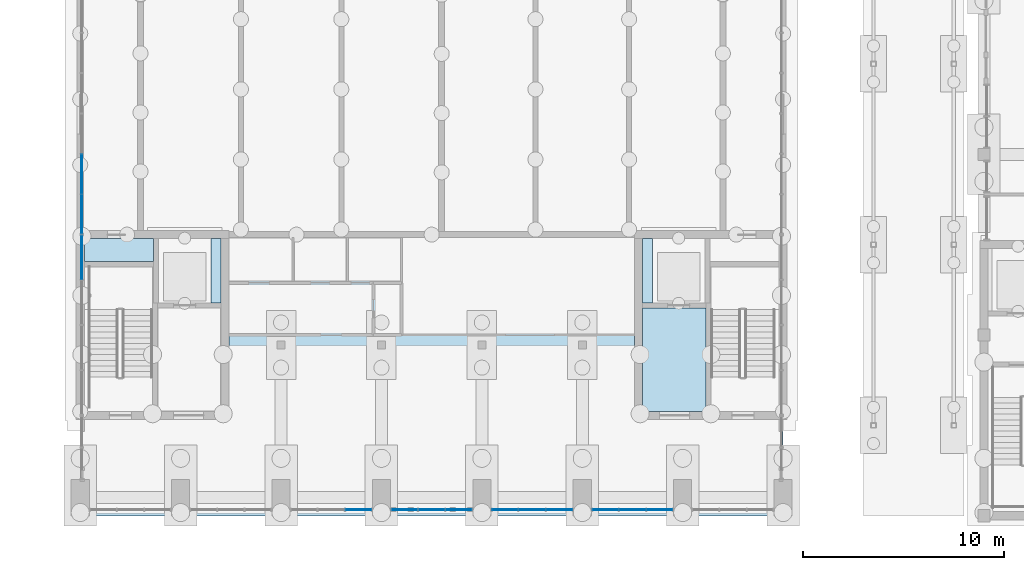
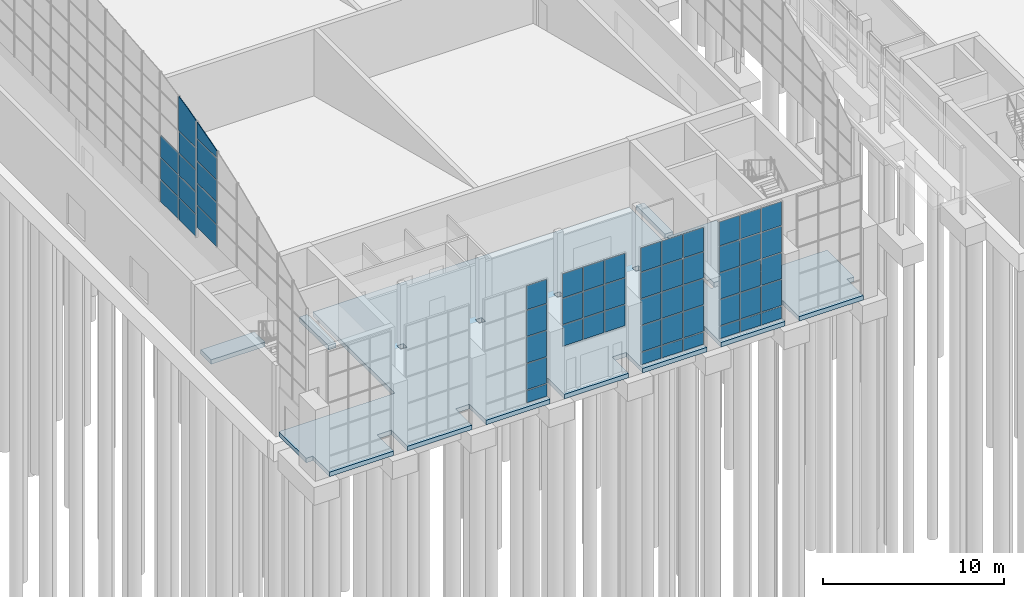
# One storey, part 51 of 106: 57 plates, 5 slabs, 6 elements without a shape of their own.
"""IFC4 building model written with IfcOpenShell, lengths in metres."""

from ifc_helpers import new_model, si_unit, direction, frame, origin, origin_2d, place, context, subcontext, project, spatial, polyline, rectangle, outline, extrude, material, layer, layer_set, type_object, element, aggregate, save


model = new_model("IFC4")

# Units and contexts
model_context = context("Model", 3, precision=1e-05, world=origin(), true_north=direction((0.0, 1.0)))
body_context = subcontext(model_context, "Body", "Model", "MODEL_VIEW")
ifc_project = project(units=[si_unit("LENGTHUNIT", "METRE"), si_unit("AREAUNIT", "SQUARE_METRE"), si_unit("VOLUMEUNIT", "CUBIC_METRE"), si_unit("PLANEANGLEUNIT", "RADIAN"), si_unit("MASSUNIT", "GRAM", prefix="KILO")], contexts=[model_context])

# Site, building, storey
site_placement = place(None, origin())
site = spatial("IfcSite", under=ifc_project, at=site_placement, CompositionType="ELEMENT")
building_placement = place(site_placement, origin())
building = spatial("IfcBuilding", under=site, at=building_placement, Name="Merrow Basin Faculty of Sciences", CompositionType="ELEMENT")
storey_placement = place(building_placement, origin())
storey = spatial("IfcBuildingStorey", under=building, at=storey_placement, Name="L00", CompositionType="ELEMENT", Elevation=0.0)

# Slabs
ifc_material_1 = material(Name="Concrete C40/50", Category="concrete")
ifc_layer_1 = layer(ifc_material_1, 0.300048828125)
ifc_layer_set_1 = layer_set([ifc_layer_1], Name="Ground slab 300 Concrete C40/50")
slab_type = type_object("IfcSlabType", Name="Ground slab 300 Concrete C40/50", PredefinedType="BASESLAB", material=ifc_layer_set_1)
slab_1_placement = place(storey_placement, frame((0.0, 0.0, -0.300048828125)))
element("IfcSlab", 1, at=slab_1_placement, inside=storey, type_object=slab_type, Name="SL3 ground L00 001", PredefinedType="BASESLAB", context=body_context, shape_type="SweptSolid", body=[
    extrude(outline(polyline([(34.550048828125, 1.800048828125), (34.550048828125, 0.0), (30.449951171875, 0.0), (30.449951171875, 1.800048828125), (29.550048828125, 1.800048828125), (29.550048828125, 0.0), (25.449951171875, 0.0), (25.449951171875, 1.800048828125), (24.550048828125, 1.800048828125), (24.550048828125, 0.0), (20.449951171875, 0.0), (20.449951171875, 1.800048828125), (19.550048828125, 1.800048828125), (19.550048828125, 0.0), (15.449951171875, 0.0), (15.449951171875, 1.800048828125), (14.550048828125, 1.800048828125), (14.550048828125, 0.0), (10.449951171875, 0.0), (10.449951171875, 1.800048828125), (9.550048828125, 1.800048828125), (9.550048828125, 0.0), (5.449951171875, 0.0), (5.449951171875, 1.800048828125), (4.550048828125, 1.800048828125), (4.550048828125, 0.0), (0.449951171875, 0.0), (0.449951171875, 1.800048828125), (0.0, 1.800048828125), (0.0, 4.800048828125), (7.39990234375, 4.800048828125), (7.39990234375, 5.199951171875), (7.39990234375, 13.800048828125), (7.39990234375, 13.85009765625), (27.60009765625, 13.85009765625), (27.60009765625, 13.800048828125), (27.60009765625, 5.199951171875), (27.60009765625, 4.800048828125), (35.0, 4.800048828125), (35.0, 1.800048828125), (34.550048828125, 1.800048828125)]), holes=[polyline([(25.199951171875, 8.699951171875), (24.800048828125, 8.699951171875), (24.800048828125, 8.300048828125), (25.199951171875, 8.300048828125), (25.199951171875, 8.699951171875)]), polyline([(19.800048828125, 8.699951171875), (19.800048828125, 8.300048828125), (20.199951171875, 8.300048828125), (20.199951171875, 8.699951171875), (19.800048828125, 8.699951171875)]), polyline([(15.199951171875, 8.699951171875), (14.800048828125, 8.699951171875), (14.800048828125, 8.300048828125), (15.199951171875, 8.300048828125), (15.199951171875, 8.699951171875)]), polyline([(9.800048828125, 8.699951171875), (9.800048828125, 8.300048828125), (10.199951171875, 8.300048828125), (10.199951171875, 8.699951171875), (9.800048828125, 8.699951171875)])]), origin(), (0.0, 0.0, 1.0), 0.300048828125),
])
slab_2_placement = place(storey_placement, frame((0.0, 0.0, -0.300048828125)))
element("IfcSlab", 2, at=slab_2_placement, inside=storey, type_object=slab_type, Name="SL3 ground L00 006", PredefinedType="BASESLAB", context=body_context, shape_type="SweptSolid", body=[
    extrude(outline(polyline([(28.0, 10.35009765625), (31.14990234375, 10.35009765625), (31.14990234375, 5.199951171875), (28.0, 5.199951171875), (28.0, 10.35009765625)])), origin(), (0.0, 0.0, 1.0), 0.300048828125),
])
slab_3_placement = place(storey_placement, frame((0.0, 0.0, -0.300048828125)))
element("IfcSlab", 3, at=slab_3_placement, inside=storey, type_object=slab_type, Name="SL3 ground L00 008", PredefinedType="BASESLAB", context=body_context, shape_type="SweptSolid", body=[
    extrude(outline(polyline([(3.64990234375, 13.800048828125), (3.64990234375, 12.64990234375), (0.199951171875, 12.64990234375), (0.199951171875, 13.800048828125), (3.64990234375, 13.800048828125)])), origin(), (0.0, 0.0, 1.0), 0.300048828125),
])
slab_4_placement = place(storey_placement, frame((0.0, 0.0, -0.300048828125)))
element("IfcSlab", 4, at=slab_4_placement, inside=storey, type_object=slab_type, Name="SL3 ground L00 017", PredefinedType="BASESLAB", context=body_context, shape_type="SweptSolid", body=[
    extrude(outline(polyline([(7.0, 13.800048828125), (7.0, 10.60009765625), (6.5, 10.60009765625), (6.5, 13.800048828125), (7.0, 13.800048828125)])), origin(), (0.0, 0.0, 1.0), 0.300048828125),
])
slab_5_placement = place(storey_placement, frame((0.0, 0.0, -0.300048828125)))
element("IfcSlab", 5, at=slab_5_placement, inside=storey, type_object=slab_type, Name="SL3 ground L00 018", PredefinedType="BASESLAB", context=body_context, shape_type="SweptSolid", body=[
    extrude(outline(polyline([(28.0, 10.60009765625), (28.0, 13.800048828125), (28.5, 13.800048828125), (28.5, 10.60009765625), (28.0, 10.60009765625)])), origin(), (0.0, 0.0, 1.0), 0.300048828125),
])

# Curtain wall, plate
ifc_material_2 = material(Name="Aluminium alloy 6063", Category="aluminium")
curtain_wall_type_1 = type_object("IfcCurtainWallType", Name="Unitised curtain wall 160", PredefinedType="NOTDEFINED", material=ifc_material_2)
curtain_wall_1_placement = place(storey_placement, origin())
curtain_wall_1 = element("IfcCurtainWall", 6, at=curtain_wall_1_placement, inside=storey, type_object=curtain_wall_type_1, Name="South foyer curtain wall", PredefinedType="NOTDEFINED")
ifc_material_3 = material(Name="Insulated aluminium spandrel panel", Category="aluminium")
ifc_layer_2 = layer(ifc_material_3, 0.052001953125)
ifc_layer_set_2 = layer_set([ifc_layer_2], Name="Insulated spandrel panel 52")
plate_type_1 = type_object("IfcPlateType", Name="Insulated spandrel panel 52", PredefinedType="CURTAIN_PANEL", material=ifc_layer_set_2)
plate_1_placement = place(storey_placement, frame((13.8515625, 0.300048828125, 0.06005859375), z_axis=(0.0, 0.0, 1.0), x_axis=(1.0, 0.0, 0.0)))
plate_1 = element("IfcPlate", 7, at=plate_1_placement, type_object=plate_type_1, Name="CW3 panel 3.1", PredefinedType="CURTAIN_PANEL", context=body_context, shape_type="SweptSolid", body=[
    extrude(rectangle(XDim=1.276611328125, YDim=0.052001953125, at=origin_2d()), origin(), (0.0, 0.0, 1.0), 0.81005859375),
])

# Curtain wall, plates
curtain_wall_2_placement = place(storey_placement, origin())
curtain_wall_2 = element("IfcCurtainWall", 8, at=curtain_wall_2_placement, inside=storey, type_object=curtain_wall_type_1, Name="South foyer curtain wall", PredefinedType="NOTDEFINED")
plate_2_placement = place(storey_placement, frame((21.1484375, 0.300048828125, 0.06005859375), z_axis=(0.0, 0.0, 1.0), x_axis=(1.0, 0.0, 0.0)))
plate_2 = element("IfcPlate", 9, at=plate_2_placement, type_object=plate_type_1, Name="CW3 panel 1.1", PredefinedType="CURTAIN_PANEL", context=body_context, shape_type="SweptSolid", body=[
    extrude(rectangle(XDim=1.276611328125, YDim=0.052001953125, at=origin_2d()), origin(), (0.0, 0.0, 1.0), 0.81005859375),
])
plate_3_placement = place(storey_placement, frame((22.5, 0.300048828125, 0.06005859375), z_axis=(0.0, 0.0, 1.0), x_axis=(1.0, 0.0, 0.0)))
plate_3 = element("IfcPlate", 10, at=plate_3_placement, type_object=plate_type_1, Name="CW3 panel 2.1", PredefinedType="CURTAIN_PANEL", context=body_context, shape_type="SweptSolid", body=[
    extrude(rectangle(XDim=1.306640625, YDim=0.052001953125, at=origin_2d()), origin(), (0.0, 0.0, 1.0), 0.81005859375),
])
plate_4_placement = place(storey_placement, frame((23.8515625, 0.300048828125, 0.06005859375), z_axis=(0.0, 0.0, 1.0), x_axis=(1.0, 0.0, 0.0)))
plate_4 = element("IfcPlate", 11, at=plate_4_placement, type_object=plate_type_1, Name="CW3 panel 3.1", PredefinedType="CURTAIN_PANEL", context=body_context, shape_type="SweptSolid", body=[
    extrude(rectangle(XDim=1.276611328125, YDim=0.052001953125, at=origin_2d()), origin(), (0.0, 0.0, 1.0), 0.81005859375),
])

curtain_wall_3_placement = place(storey_placement, origin())
curtain_wall_3 = element("IfcCurtainWall", 12, at=curtain_wall_3_placement, inside=storey, type_object=curtain_wall_type_1, Name="South foyer curtain wall", PredefinedType="NOTDEFINED")
plate_5_placement = place(storey_placement, frame((26.1484375, 0.300048828125, 0.06005859375), z_axis=(0.0, 0.0, 1.0), x_axis=(1.0, 0.0, 0.0)))
plate_5 = element("IfcPlate", 13, at=plate_5_placement, type_object=plate_type_1, Name="CW3 panel 1.1", PredefinedType="CURTAIN_PANEL", context=body_context, shape_type="SweptSolid", body=[
    extrude(rectangle(XDim=1.276611328125, YDim=0.052001953125, at=origin_2d()), origin(), (0.0, 0.0, 1.0), 0.81005859375),
])
plate_6_placement = place(storey_placement, frame((27.5, 0.300048828125, 0.06005859375), z_axis=(0.0, 0.0, 1.0), x_axis=(1.0, 0.0, 0.0)))
plate_6 = element("IfcPlate", 14, at=plate_6_placement, type_object=plate_type_1, Name="CW3 panel 2.1", PredefinedType="CURTAIN_PANEL", context=body_context, shape_type="SweptSolid", body=[
    extrude(rectangle(XDim=1.306640625, YDim=0.052001953125, at=origin_2d()), origin(), (0.0, 0.0, 1.0), 0.81005859375),
])
plate_7_placement = place(storey_placement, frame((28.8515625, 0.300048828125, 0.06005859375), z_axis=(0.0, 0.0, 1.0), x_axis=(1.0, 0.0, 0.0)))
plate_7 = element("IfcPlate", 15, at=plate_7_placement, type_object=plate_type_1, Name="CW3 panel 3.1", PredefinedType="CURTAIN_PANEL", context=body_context, shape_type="SweptSolid", body=[
    extrude(rectangle(XDim=1.276611328125, YDim=0.052001953125, at=origin_2d()), origin(), (0.0, 0.0, 1.0), 0.81005859375),
])

ifc_material_4 = material(Name="Aluminium alloy 6063", Category="aluminium")
curtain_wall_type_2 = type_object("IfcCurtainWallType", Name="Arched curtain wall 160", PredefinedType="NOTDEFINED", material=ifc_material_4)
curtain_wall_4_placement = place(storey_placement, origin())
curtain_wall_4 = element("IfcCurtainWall", 16, at=curtain_wall_4_placement, inside=storey, type_object=curtain_wall_type_2, Name="West gable glazing B", PredefinedType="NOTDEFINED")
ifc_material_5 = material(Name="Laminated safety glass", Category="glass")
ifc_layer_3 = layer(ifc_material_5, 0.0400390625)
ifc_layer_set_3 = layer_set([ifc_layer_3], Name="Laminated overhead glazing panel 40")
plate_type_2 = type_object("IfcPlateType", Name="Laminated overhead glazing panel 40", PredefinedType="CURTAIN_PANEL", material=ifc_layer_set_3)
plate_8_placement = place(storey_placement, frame((0.06005859375, 11.780029296875, 8.199951171875), z_axis=(1.0, 0.0, 0.0), x_axis=(0.0, 1.0, 0.0)))
plate_8 = element("IfcPlate", 17, at=plate_8_placement, type_object=plate_type_2, Name="CW4 panel 4.1", PredefinedType="CURTAIN_PANEL", context=body_context, shape_type="SweptSolid", body=[
    extrude(outline(polyline([(0.0, 0.0), (2.159912109375, 0.0), (2.159912109375, 1.469970703125), (0.0, 1.469970703125), (0.0, 0.0)])), origin(), (0.0, 0.0, 1.0), 0.0400390625),
])
plate_9_placement = place(storey_placement, frame((0.06005859375, 11.780029296875, 9.72998046875), z_axis=(1.0, 0.0, 0.0), x_axis=(0.0, 1.0, 0.0)))
plate_9 = element("IfcPlate", 18, at=plate_9_placement, type_object=plate_type_2, Name="CW4 panel 4.2", PredefinedType="CURTAIN_PANEL", context=body_context, shape_type="SweptSolid", body=[
    extrude(outline(polyline([(0.0, 0.0), (2.159912109375, 0.0), (2.159912109375, 1.43994140625), (0.0, 1.43994140625), (0.0, 0.0)])), origin(), (0.0, 0.0, 1.0), 0.0400390625),
])
plate_10_placement = place(storey_placement, frame((0.06005859375, 11.780029296875, 11.22998046875), z_axis=(1.0, 0.0, 0.0), x_axis=(0.0, 1.0, 0.0)))
plate_10 = element("IfcPlate", 19, at=plate_10_placement, type_object=plate_type_2, Name="CW4 panel 4.3", PredefinedType="CURTAIN_PANEL", context=body_context, shape_type="SweptSolid", body=[
    extrude(outline(polyline([(0.0, 0.0), (2.159912109375, 0.0), (2.159912109375, 1.43994140625), (0.0, 1.43994140625), (0.0, 0.0)])), origin(), (0.0, 0.0, 1.0), 0.0400390625),
])
plate_11_placement = place(storey_placement, frame((0.06005859375, 11.780029296875, 12.72998046875), z_axis=(1.0, 0.0, 0.0), x_axis=(0.0, 1.0, 0.0)))
plate_11 = element("IfcPlate", 20, at=plate_11_placement, type_object=plate_type_2, Name="CW4 panel 4.4", PredefinedType="CURTAIN_PANEL", context=body_context, shape_type="SweptSolid", body=[
    extrude(outline(polyline([(0.0, 0.0), (2.159912109375, 0.0), (2.159912109375, 1.43994140625), (0.0, 1.43994140625), (0.0, 0.0)])), origin(), (0.0, 0.0, 1.0), 0.0400390625),
])
plate_12_placement = place(storey_placement, frame((0.06005859375, 11.780029296875, 14.22998046875), z_axis=(1.0, 0.0, 0.0), x_axis=(0.0, 1.0, 0.0)))
plate_12 = element("IfcPlate", 21, at=plate_12_placement, type_object=plate_type_2, Name="CW4 panel 4.top", PredefinedType="CURTAIN_PANEL", context=body_context, shape_type="SweptSolid", body=[
    extrude(outline(polyline([(0.0, 0.0), (2.159912109375, 0.0), (2.159912109375, 1.091064453125), (0.264892578125, 0.56103515625), (0.0, 0.466064453125), (0.0, 0.0)])), origin(), (0.0, 0.0, 1.0), 0.0400390625),
])
aggregate(curtain_wall_4, [plate_8, plate_9, plate_10, plate_11, plate_12])

curtain_wall_5_placement = place(storey_placement, origin())
curtain_wall_5 = element("IfcCurtainWall", 22, at=curtain_wall_5_placement, inside=storey, type_object=curtain_wall_type_2, Name="West gable glazing C", PredefinedType="NOTDEFINED")
plate_13_placement = place(storey_placement, frame((0.06005859375, 14.06005859375, 7.5), z_axis=(1.0, 0.0, 0.0), x_axis=(0.0, 1.0, 0.0)))
plate_13 = element("IfcPlate", 23, at=plate_13_placement, type_object=plate_type_2, Name="CW4 panel 1.1", PredefinedType="CURTAIN_PANEL", context=body_context, shape_type="SweptSolid", body=[
    extrude(outline(polyline([(0.0, 0.0), (1.919921875, 0.0), (1.919921875, 1.469970703125), (0.0, 1.469970703125), (0.0, 0.0)])), origin(), (0.0, 0.0, 1.0), 0.0400390625),
])
plate_14_placement = place(storey_placement, frame((0.06005859375, 14.06005859375, 9.030029296875), z_axis=(1.0, 0.0, 0.0), x_axis=(0.0, 1.0, 0.0)))
plate_14 = element("IfcPlate", 24, at=plate_14_placement, type_object=plate_type_2, Name="CW4 panel 1.2", PredefinedType="CURTAIN_PANEL", context=body_context, shape_type="SweptSolid", body=[
    extrude(outline(polyline([(0.0, 0.0), (1.919921875, 0.0), (1.919921875, 1.43994140625), (0.0, 1.43994140625), (0.0, 0.0)])), origin(), (0.0, 0.0, 1.0), 0.0400390625),
])
plate_15_placement = place(storey_placement, frame((0.06005859375, 14.06005859375, 10.530029296875), z_axis=(1.0, 0.0, 0.0), x_axis=(0.0, 1.0, 0.0)))
plate_15 = element("IfcPlate", 25, at=plate_15_placement, type_object=plate_type_2, Name="CW4 panel 1.3", PredefinedType="CURTAIN_PANEL", context=body_context, shape_type="SweptSolid", body=[
    extrude(outline(polyline([(0.0, 0.0), (1.919921875, 0.0), (1.919921875, 1.43994140625), (0.0, 1.43994140625), (0.0, 0.0)])), origin(), (0.0, 0.0, 1.0), 0.0400390625),
])
plate_16_placement = place(storey_placement, frame((0.06005859375, 14.06005859375, 12.030029296875), z_axis=(1.0, 0.0, 0.0), x_axis=(0.0, 1.0, 0.0)))
plate_16 = element("IfcPlate", 26, at=plate_16_placement, type_object=plate_type_2, Name="CW4 panel 1.4", PredefinedType="CURTAIN_PANEL", context=body_context, shape_type="SweptSolid", body=[
    extrude(outline(polyline([(0.0, 0.0), (1.919921875, 0.0), (1.919921875, 1.43994140625), (0.0, 1.43994140625), (0.0, 0.0)])), origin(), (0.0, 0.0, 1.0), 0.0400390625),
])
plate_17_placement = place(storey_placement, frame((0.06005859375, 14.06005859375, 13.530029296875), z_axis=(1.0, 0.0, 0.0), x_axis=(0.0, 1.0, 0.0)))
plate_17 = element("IfcPlate", 27, at=plate_17_placement, type_object=plate_type_2, Name="CW4 panel 1.top", PredefinedType="CURTAIN_PANEL", context=body_context, shape_type="SweptSolid", body=[
    extrude(outline(polyline([(0.0, 0.0), (1.9208984375, 0.0), (1.9208984375, 2.294921875), (0.97607421875, 2.097900390625), (0.0, 1.823974609375), (0.0, 0.0)])), origin(), (0.0, 0.0, 1.0), 0.0400390625),
])
plate_18_placement = place(storey_placement, frame((0.06005859375, 16.041015625, 7.5), z_axis=(1.0, 0.0, 0.0), x_axis=(0.0, 1.0, 0.0)))
plate_18 = element("IfcPlate", 28, at=plate_18_placement, type_object=plate_type_2, Name="CW4 panel 2.1", PredefinedType="CURTAIN_PANEL", context=body_context, shape_type="SweptSolid", body=[
    extrude(outline(polyline([(0.0, 0.0), (1.949951171875, 0.0), (1.949951171875, 1.469970703125), (0.0, 1.469970703125), (0.0, 0.0)])), origin(), (0.0, 0.0, 1.0), 0.0400390625),
])
plate_19_placement = place(storey_placement, frame((0.06005859375, 16.041015625, 9.030029296875), z_axis=(1.0, 0.0, 0.0), x_axis=(0.0, 1.0, 0.0)))
plate_19 = element("IfcPlate", 29, at=plate_19_placement, type_object=plate_type_2, Name="CW4 panel 2.2", PredefinedType="CURTAIN_PANEL", context=body_context, shape_type="SweptSolid", body=[
    extrude(outline(polyline([(0.0, 0.0), (1.949951171875, 0.0), (1.949951171875, 1.43994140625), (0.0, 1.43994140625), (0.0, 0.0)])), origin(), (0.0, 0.0, 1.0), 0.0400390625),
])
plate_20_placement = place(storey_placement, frame((0.06005859375, 16.041015625, 10.530029296875), z_axis=(1.0, 0.0, 0.0), x_axis=(0.0, 1.0, 0.0)))
plate_20 = element("IfcPlate", 30, at=plate_20_placement, type_object=plate_type_2, Name="CW4 panel 2.3", PredefinedType="CURTAIN_PANEL", context=body_context, shape_type="SweptSolid", body=[
    extrude(outline(polyline([(0.0, 0.0), (1.949951171875, 0.0), (1.949951171875, 1.43994140625), (0.0, 1.43994140625), (0.0, 0.0)])), origin(), (0.0, 0.0, 1.0), 0.0400390625),
])
aggregate(curtain_wall_5, [plate_13, plate_14, plate_15, plate_16, plate_17, plate_18, plate_19, plate_20])

# Plate
ifc_material_6 = material(Name="Low-E double glazing", Category="glass")
ifc_layer_4 = layer(ifc_material_6, 0.028076171875)
ifc_layer_set_4 = layer_set([ifc_layer_4], Name="Low-E double glazed panel 28")
plate_type_3 = type_object("IfcPlateType", Name="Low-E double glazed panel 28", PredefinedType="CURTAIN_PANEL", material=ifc_layer_set_4)
plate_21_placement = place(storey_placement, frame((13.8515625, 0.300048828125, 0.93017578125), z_axis=(0.0, 0.0, 1.0), x_axis=(1.0, 0.0, 0.0)))
plate_21 = element("IfcPlate", 31, at=plate_21_placement, type_object=plate_type_3, Name="CW3 panel 3.2", PredefinedType="CURTAIN_PANEL", context=body_context, shape_type="SweptSolid", body=[
    extrude(rectangle(XDim=1.276611328125, YDim=0.028076171875, at=origin_2d()), origin(), (0.0, 0.0, 1.0), 1.739990234375),
])

plate_22_placement = place(storey_placement, frame((13.8515625, 0.300048828125, 2.72998046875), z_axis=(0.0, 0.0, 1.0), x_axis=(1.0, 0.0, 0.0)))
plate_22 = element("IfcPlate", 32, at=plate_22_placement, type_object=plate_type_3, Name="CW3 panel 3.3", PredefinedType="CURTAIN_PANEL", context=body_context, shape_type="SweptSolid", body=[
    extrude(rectangle(XDim=1.276611328125, YDim=0.028076171875, at=origin_2d()), origin(), (0.0, 0.0, 1.0), 1.739990234375),
])

plate_23_placement = place(storey_placement, frame((13.8515625, 0.300048828125, 4.52978515625), z_axis=(0.0, 0.0, 1.0), x_axis=(1.0, 0.0, 0.0)))
plate_23 = element("IfcPlate", 33, at=plate_23_placement, type_object=plate_type_3, Name="CW3 panel 3.4", PredefinedType="CURTAIN_PANEL", context=body_context, shape_type="SweptSolid", body=[
    extrude(rectangle(XDim=1.276611328125, YDim=0.028076171875, at=origin_2d()), origin(), (0.0, 0.0, 1.0), 1.739990234375),
])

plate_24_placement = place(storey_placement, frame((13.8515625, 0.300048828125, 6.330078125), z_axis=(0.0, 0.0, 1.0), x_axis=(1.0, 0.0, 0.0)))
plate_24 = element("IfcPlate", 34, at=plate_24_placement, type_object=plate_type_3, Name="CW3 panel 3.5", PredefinedType="CURTAIN_PANEL", context=body_context, shape_type="SweptSolid", body=[
    extrude(rectangle(XDim=1.276611328125, YDim=0.028076171875, at=origin_2d()), origin(), (0.0, 0.0, 1.0), 1.610107421875),
])

aggregate(curtain_wall_1, [plate_1, plate_21, plate_22, plate_23, plate_24])

# Curtain wall, plates
curtain_wall_6_placement = place(storey_placement, origin())
curtain_wall_6 = element("IfcCurtainWall", 35, at=curtain_wall_6_placement, inside=storey, type_object=curtain_wall_type_1, Name="South foyer curtain wall above the door", PredefinedType="NOTDEFINED")
plate_25_placement = place(storey_placement, frame((16.1484375, 0.300048828125, 3.06005859375), z_axis=(0.0, 0.0, 1.0), x_axis=(1.0, 0.0, 0.0)))
plate_25 = element("IfcPlate", 36, at=plate_25_placement, type_object=plate_type_3, Name="CW3 panel 1.1", PredefinedType="CURTAIN_PANEL", context=body_context, shape_type="SweptSolid", body=[
    extrude(rectangle(XDim=1.276611328125, YDim=0.028076171875, at=origin_2d()), origin(), (0.0, 0.0, 1.0), 1.409912109375),
])
plate_26_placement = place(storey_placement, frame((16.1484375, 0.300048828125, 4.52978515625), z_axis=(0.0, 0.0, 1.0), x_axis=(1.0, 0.0, 0.0)))
plate_26 = element("IfcPlate", 37, at=plate_26_placement, type_object=plate_type_3, Name="CW3 panel 1.2", PredefinedType="CURTAIN_PANEL", context=body_context, shape_type="SweptSolid", body=[
    extrude(rectangle(XDim=1.276611328125, YDim=0.028076171875, at=origin_2d()), origin(), (0.0, 0.0, 1.0), 1.739990234375),
])
plate_27_placement = place(storey_placement, frame((16.1484375, 0.300048828125, 6.330078125), z_axis=(0.0, 0.0, 1.0), x_axis=(1.0, 0.0, 0.0)))
plate_27 = element("IfcPlate", 38, at=plate_27_placement, type_object=plate_type_3, Name="CW3 panel 1.3", PredefinedType="CURTAIN_PANEL", context=body_context, shape_type="SweptSolid", body=[
    extrude(rectangle(XDim=1.276611328125, YDim=0.028076171875, at=origin_2d()), origin(), (0.0, 0.0, 1.0), 1.610107421875),
])
plate_28_placement = place(storey_placement, frame((17.5, 0.300048828125, 3.06005859375), z_axis=(0.0, 0.0, 1.0), x_axis=(1.0, 0.0, 0.0)))
plate_28 = element("IfcPlate", 39, at=plate_28_placement, type_object=plate_type_3, Name="CW3 panel 2.1", PredefinedType="CURTAIN_PANEL", context=body_context, shape_type="SweptSolid", body=[
    extrude(rectangle(XDim=1.306640625, YDim=0.028076171875, at=origin_2d()), origin(), (0.0, 0.0, 1.0), 1.409912109375),
])
plate_29_placement = place(storey_placement, frame((17.5, 0.300048828125, 4.52978515625), z_axis=(0.0, 0.0, 1.0), x_axis=(1.0, 0.0, 0.0)))
plate_29 = element("IfcPlate", 40, at=plate_29_placement, type_object=plate_type_3, Name="CW3 panel 2.2", PredefinedType="CURTAIN_PANEL", context=body_context, shape_type="SweptSolid", body=[
    extrude(rectangle(XDim=1.306640625, YDim=0.028076171875, at=origin_2d()), origin(), (0.0, 0.0, 1.0), 1.739990234375),
])
plate_30_placement = place(storey_placement, frame((17.5, 0.300048828125, 6.330078125), z_axis=(0.0, 0.0, 1.0), x_axis=(1.0, 0.0, 0.0)))
plate_30 = element("IfcPlate", 41, at=plate_30_placement, type_object=plate_type_3, Name="CW3 panel 2.3", PredefinedType="CURTAIN_PANEL", context=body_context, shape_type="SweptSolid", body=[
    extrude(rectangle(XDim=1.306640625, YDim=0.028076171875, at=origin_2d()), origin(), (0.0, 0.0, 1.0), 1.610107421875),
])
plate_31_placement = place(storey_placement, frame((18.8515625, 0.300048828125, 3.06005859375), z_axis=(0.0, 0.0, 1.0), x_axis=(1.0, 0.0, 0.0)))
plate_31 = element("IfcPlate", 42, at=plate_31_placement, type_object=plate_type_3, Name="CW3 panel 3.1", PredefinedType="CURTAIN_PANEL", context=body_context, shape_type="SweptSolid", body=[
    extrude(rectangle(XDim=1.276611328125, YDim=0.028076171875, at=origin_2d()), origin(), (0.0, 0.0, 1.0), 1.409912109375),
])
plate_32_placement = place(storey_placement, frame((18.8515625, 0.300048828125, 4.52978515625), z_axis=(0.0, 0.0, 1.0), x_axis=(1.0, 0.0, 0.0)))
plate_32 = element("IfcPlate", 43, at=plate_32_placement, type_object=plate_type_3, Name="CW3 panel 3.2", PredefinedType="CURTAIN_PANEL", context=body_context, shape_type="SweptSolid", body=[
    extrude(rectangle(XDim=1.276611328125, YDim=0.028076171875, at=origin_2d()), origin(), (0.0, 0.0, 1.0), 1.739990234375),
])
plate_33_placement = place(storey_placement, frame((18.8515625, 0.300048828125, 6.330078125), z_axis=(0.0, 0.0, 1.0), x_axis=(1.0, 0.0, 0.0)))
plate_33 = element("IfcPlate", 44, at=plate_33_placement, type_object=plate_type_3, Name="CW3 panel 3.3", PredefinedType="CURTAIN_PANEL", context=body_context, shape_type="SweptSolid", body=[
    extrude(rectangle(XDim=1.276611328125, YDim=0.028076171875, at=origin_2d()), origin(), (0.0, 0.0, 1.0), 1.610107421875),
])
aggregate(curtain_wall_6, [plate_25, plate_26, plate_27, plate_28, plate_29, plate_30, plate_31, plate_32, plate_33])

# Plate
plate_34_placement = place(storey_placement, frame((21.1484375, 0.300048828125, 0.93017578125), z_axis=(0.0, 0.0, 1.0), x_axis=(1.0, 0.0, 0.0)))
plate_34 = element("IfcPlate", 45, at=plate_34_placement, type_object=plate_type_3, Name="CW3 panel 1.2", PredefinedType="CURTAIN_PANEL", context=body_context, shape_type="SweptSolid", body=[
    extrude(rectangle(XDim=1.276611328125, YDim=0.028076171875, at=origin_2d()), origin(), (0.0, 0.0, 1.0), 1.739990234375),
])

plate_35_placement = place(storey_placement, frame((21.1484375, 0.300048828125, 2.72998046875), z_axis=(0.0, 0.0, 1.0), x_axis=(1.0, 0.0, 0.0)))
plate_35 = element("IfcPlate", 46, at=plate_35_placement, type_object=plate_type_3, Name="CW3 panel 1.3", PredefinedType="CURTAIN_PANEL", context=body_context, shape_type="SweptSolid", body=[
    extrude(rectangle(XDim=1.276611328125, YDim=0.028076171875, at=origin_2d()), origin(), (0.0, 0.0, 1.0), 1.739990234375),
])

plate_36_placement = place(storey_placement, frame((21.1484375, 0.300048828125, 4.52978515625), z_axis=(0.0, 0.0, 1.0), x_axis=(1.0, 0.0, 0.0)))
plate_36 = element("IfcPlate", 47, at=plate_36_placement, type_object=plate_type_3, Name="CW3 panel 1.4", PredefinedType="CURTAIN_PANEL", context=body_context, shape_type="SweptSolid", body=[
    extrude(rectangle(XDim=1.276611328125, YDim=0.028076171875, at=origin_2d()), origin(), (0.0, 0.0, 1.0), 1.739990234375),
])

plate_37_placement = place(storey_placement, frame((21.1484375, 0.300048828125, 6.330078125), z_axis=(0.0, 0.0, 1.0), x_axis=(1.0, 0.0, 0.0)))
plate_37 = element("IfcPlate", 48, at=plate_37_placement, type_object=plate_type_3, Name="CW3 panel 1.5", PredefinedType="CURTAIN_PANEL", context=body_context, shape_type="SweptSolid", body=[
    extrude(rectangle(XDim=1.276611328125, YDim=0.028076171875, at=origin_2d()), origin(), (0.0, 0.0, 1.0), 1.610107421875),
])

plate_38_placement = place(storey_placement, frame((22.5, 0.300048828125, 0.93017578125), z_axis=(0.0, 0.0, 1.0), x_axis=(1.0, 0.0, 0.0)))
plate_38 = element("IfcPlate", 49, at=plate_38_placement, type_object=plate_type_3, Name="CW3 panel 2.2", PredefinedType="CURTAIN_PANEL", context=body_context, shape_type="SweptSolid", body=[
    extrude(rectangle(XDim=1.306640625, YDim=0.028076171875, at=origin_2d()), origin(), (0.0, 0.0, 1.0), 1.739990234375),
])

plate_39_placement = place(storey_placement, frame((22.5, 0.300048828125, 2.72998046875), z_axis=(0.0, 0.0, 1.0), x_axis=(1.0, 0.0, 0.0)))
plate_39 = element("IfcPlate", 50, at=plate_39_placement, type_object=plate_type_3, Name="CW3 panel 2.3", PredefinedType="CURTAIN_PANEL", context=body_context, shape_type="SweptSolid", body=[
    extrude(rectangle(XDim=1.306640625, YDim=0.028076171875, at=origin_2d()), origin(), (0.0, 0.0, 1.0), 1.739990234375),
])

plate_40_placement = place(storey_placement, frame((22.5, 0.300048828125, 4.52978515625), z_axis=(0.0, 0.0, 1.0), x_axis=(1.0, 0.0, 0.0)))
plate_40 = element("IfcPlate", 51, at=plate_40_placement, type_object=plate_type_3, Name="CW3 panel 2.4", PredefinedType="CURTAIN_PANEL", context=body_context, shape_type="SweptSolid", body=[
    extrude(rectangle(XDim=1.306640625, YDim=0.028076171875, at=origin_2d()), origin(), (0.0, 0.0, 1.0), 1.739990234375),
])

plate_41_placement = place(storey_placement, frame((22.5, 0.300048828125, 6.330078125), z_axis=(0.0, 0.0, 1.0), x_axis=(1.0, 0.0, 0.0)))
plate_41 = element("IfcPlate", 52, at=plate_41_placement, type_object=plate_type_3, Name="CW3 panel 2.5", PredefinedType="CURTAIN_PANEL", context=body_context, shape_type="SweptSolid", body=[
    extrude(rectangle(XDim=1.306640625, YDim=0.028076171875, at=origin_2d()), origin(), (0.0, 0.0, 1.0), 1.610107421875),
])

plate_42_placement = place(storey_placement, frame((23.8515625, 0.300048828125, 0.93017578125), z_axis=(0.0, 0.0, 1.0), x_axis=(1.0, 0.0, 0.0)))
plate_42 = element("IfcPlate", 53, at=plate_42_placement, type_object=plate_type_3, Name="CW3 panel 3.2", PredefinedType="CURTAIN_PANEL", context=body_context, shape_type="SweptSolid", body=[
    extrude(rectangle(XDim=1.276611328125, YDim=0.028076171875, at=origin_2d()), origin(), (0.0, 0.0, 1.0), 1.739990234375),
])

plate_43_placement = place(storey_placement, frame((23.8515625, 0.300048828125, 2.72998046875), z_axis=(0.0, 0.0, 1.0), x_axis=(1.0, 0.0, 0.0)))
plate_43 = element("IfcPlate", 54, at=plate_43_placement, type_object=plate_type_3, Name="CW3 panel 3.3", PredefinedType="CURTAIN_PANEL", context=body_context, shape_type="SweptSolid", body=[
    extrude(rectangle(XDim=1.276611328125, YDim=0.028076171875, at=origin_2d()), origin(), (0.0, 0.0, 1.0), 1.739990234375),
])

plate_44_placement = place(storey_placement, frame((23.8515625, 0.300048828125, 4.52978515625), z_axis=(0.0, 0.0, 1.0), x_axis=(1.0, 0.0, 0.0)))
plate_44 = element("IfcPlate", 55, at=plate_44_placement, type_object=plate_type_3, Name="CW3 panel 3.4", PredefinedType="CURTAIN_PANEL", context=body_context, shape_type="SweptSolid", body=[
    extrude(rectangle(XDim=1.276611328125, YDim=0.028076171875, at=origin_2d()), origin(), (0.0, 0.0, 1.0), 1.739990234375),
])

plate_45_placement = place(storey_placement, frame((23.8515625, 0.300048828125, 6.330078125), z_axis=(0.0, 0.0, 1.0), x_axis=(1.0, 0.0, 0.0)))
plate_45 = element("IfcPlate", 56, at=plate_45_placement, type_object=plate_type_3, Name="CW3 panel 3.5", PredefinedType="CURTAIN_PANEL", context=body_context, shape_type="SweptSolid", body=[
    extrude(rectangle(XDim=1.276611328125, YDim=0.028076171875, at=origin_2d()), origin(), (0.0, 0.0, 1.0), 1.610107421875),
])

aggregate(curtain_wall_2, [plate_2, plate_34, plate_35, plate_36, plate_37, plate_3, plate_38, plate_39, plate_40, plate_41, plate_4, plate_42, plate_43, plate_44, plate_45])

plate_46_placement = place(storey_placement, frame((26.1484375, 0.300048828125, 0.93017578125), z_axis=(0.0, 0.0, 1.0), x_axis=(1.0, 0.0, 0.0)))
plate_46 = element("IfcPlate", 57, at=plate_46_placement, type_object=plate_type_3, Name="CW3 panel 1.2", PredefinedType="CURTAIN_PANEL", context=body_context, shape_type="SweptSolid", body=[
    extrude(rectangle(XDim=1.276611328125, YDim=0.028076171875, at=origin_2d()), origin(), (0.0, 0.0, 1.0), 1.739990234375),
])

plate_47_placement = place(storey_placement, frame((26.1484375, 0.300048828125, 2.72998046875), z_axis=(0.0, 0.0, 1.0), x_axis=(1.0, 0.0, 0.0)))
plate_47 = element("IfcPlate", 58, at=plate_47_placement, type_object=plate_type_3, Name="CW3 panel 1.3", PredefinedType="CURTAIN_PANEL", context=body_context, shape_type="SweptSolid", body=[
    extrude(rectangle(XDim=1.276611328125, YDim=0.028076171875, at=origin_2d()), origin(), (0.0, 0.0, 1.0), 1.739990234375),
])

plate_48_placement = place(storey_placement, frame((26.1484375, 0.300048828125, 4.52978515625), z_axis=(0.0, 0.0, 1.0), x_axis=(1.0, 0.0, 0.0)))
plate_48 = element("IfcPlate", 59, at=plate_48_placement, type_object=plate_type_3, Name="CW3 panel 1.4", PredefinedType="CURTAIN_PANEL", context=body_context, shape_type="SweptSolid", body=[
    extrude(rectangle(XDim=1.276611328125, YDim=0.028076171875, at=origin_2d()), origin(), (0.0, 0.0, 1.0), 1.739990234375),
])

plate_49_placement = place(storey_placement, frame((26.1484375, 0.300048828125, 6.330078125), z_axis=(0.0, 0.0, 1.0), x_axis=(1.0, 0.0, 0.0)))
plate_49 = element("IfcPlate", 60, at=plate_49_placement, type_object=plate_type_3, Name="CW3 panel 1.5", PredefinedType="CURTAIN_PANEL", context=body_context, shape_type="SweptSolid", body=[
    extrude(rectangle(XDim=1.276611328125, YDim=0.028076171875, at=origin_2d()), origin(), (0.0, 0.0, 1.0), 1.610107421875),
])

plate_50_placement = place(storey_placement, frame((27.5, 0.300048828125, 0.93017578125), z_axis=(0.0, 0.0, 1.0), x_axis=(1.0, 0.0, 0.0)))
plate_50 = element("IfcPlate", 61, at=plate_50_placement, type_object=plate_type_3, Name="CW3 panel 2.2", PredefinedType="CURTAIN_PANEL", context=body_context, shape_type="SweptSolid", body=[
    extrude(rectangle(XDim=1.306640625, YDim=0.028076171875, at=origin_2d()), origin(), (0.0, 0.0, 1.0), 1.739990234375),
])

plate_51_placement = place(storey_placement, frame((27.5, 0.300048828125, 2.72998046875), z_axis=(0.0, 0.0, 1.0), x_axis=(1.0, 0.0, 0.0)))
plate_51 = element("IfcPlate", 62, at=plate_51_placement, type_object=plate_type_3, Name="CW3 panel 2.3", PredefinedType="CURTAIN_PANEL", context=body_context, shape_type="SweptSolid", body=[
    extrude(rectangle(XDim=1.306640625, YDim=0.028076171875, at=origin_2d()), origin(), (0.0, 0.0, 1.0), 1.739990234375),
])

plate_52_placement = place(storey_placement, frame((27.5, 0.300048828125, 4.52978515625), z_axis=(0.0, 0.0, 1.0), x_axis=(1.0, 0.0, 0.0)))
plate_52 = element("IfcPlate", 63, at=plate_52_placement, type_object=plate_type_3, Name="CW3 panel 2.4", PredefinedType="CURTAIN_PANEL", context=body_context, shape_type="SweptSolid", body=[
    extrude(rectangle(XDim=1.306640625, YDim=0.028076171875, at=origin_2d()), origin(), (0.0, 0.0, 1.0), 1.739990234375),
])

plate_53_placement = place(storey_placement, frame((27.5, 0.300048828125, 6.330078125), z_axis=(0.0, 0.0, 1.0), x_axis=(1.0, 0.0, 0.0)))
plate_53 = element("IfcPlate", 64, at=plate_53_placement, type_object=plate_type_3, Name="CW3 panel 2.5", PredefinedType="CURTAIN_PANEL", context=body_context, shape_type="SweptSolid", body=[
    extrude(rectangle(XDim=1.306640625, YDim=0.028076171875, at=origin_2d()), origin(), (0.0, 0.0, 1.0), 1.610107421875),
])

plate_54_placement = place(storey_placement, frame((28.8515625, 0.300048828125, 0.93017578125), z_axis=(0.0, 0.0, 1.0), x_axis=(1.0, 0.0, 0.0)))
plate_54 = element("IfcPlate", 65, at=plate_54_placement, type_object=plate_type_3, Name="CW3 panel 3.2", PredefinedType="CURTAIN_PANEL", context=body_context, shape_type="SweptSolid", body=[
    extrude(rectangle(XDim=1.276611328125, YDim=0.028076171875, at=origin_2d()), origin(), (0.0, 0.0, 1.0), 1.739990234375),
])

plate_55_placement = place(storey_placement, frame((28.8515625, 0.300048828125, 2.72998046875), z_axis=(0.0, 0.0, 1.0), x_axis=(1.0, 0.0, 0.0)))
plate_55 = element("IfcPlate", 66, at=plate_55_placement, type_object=plate_type_3, Name="CW3 panel 3.3", PredefinedType="CURTAIN_PANEL", context=body_context, shape_type="SweptSolid", body=[
    extrude(rectangle(XDim=1.276611328125, YDim=0.028076171875, at=origin_2d()), origin(), (0.0, 0.0, 1.0), 1.739990234375),
])

plate_56_placement = place(storey_placement, frame((28.8515625, 0.300048828125, 4.52978515625), z_axis=(0.0, 0.0, 1.0), x_axis=(1.0, 0.0, 0.0)))
plate_56 = element("IfcPlate", 67, at=plate_56_placement, type_object=plate_type_3, Name="CW3 panel 3.4", PredefinedType="CURTAIN_PANEL", context=body_context, shape_type="SweptSolid", body=[
    extrude(rectangle(XDim=1.276611328125, YDim=0.028076171875, at=origin_2d()), origin(), (0.0, 0.0, 1.0), 1.739990234375),
])

plate_57_placement = place(storey_placement, frame((28.8515625, 0.300048828125, 6.330078125), z_axis=(0.0, 0.0, 1.0), x_axis=(1.0, 0.0, 0.0)))
plate_57 = element("IfcPlate", 68, at=plate_57_placement, type_object=plate_type_3, Name="CW3 panel 3.5", PredefinedType="CURTAIN_PANEL", context=body_context, shape_type="SweptSolid", body=[
    extrude(rectangle(XDim=1.276611328125, YDim=0.028076171875, at=origin_2d()), origin(), (0.0, 0.0, 1.0), 1.610107421875),
])

aggregate(curtain_wall_3, [plate_5, plate_46, plate_47, plate_48, plate_49, plate_6, plate_50, plate_51, plate_52, plate_53, plate_7, plate_54, plate_55, plate_56, plate_57])

save(model, "model.ifc")
